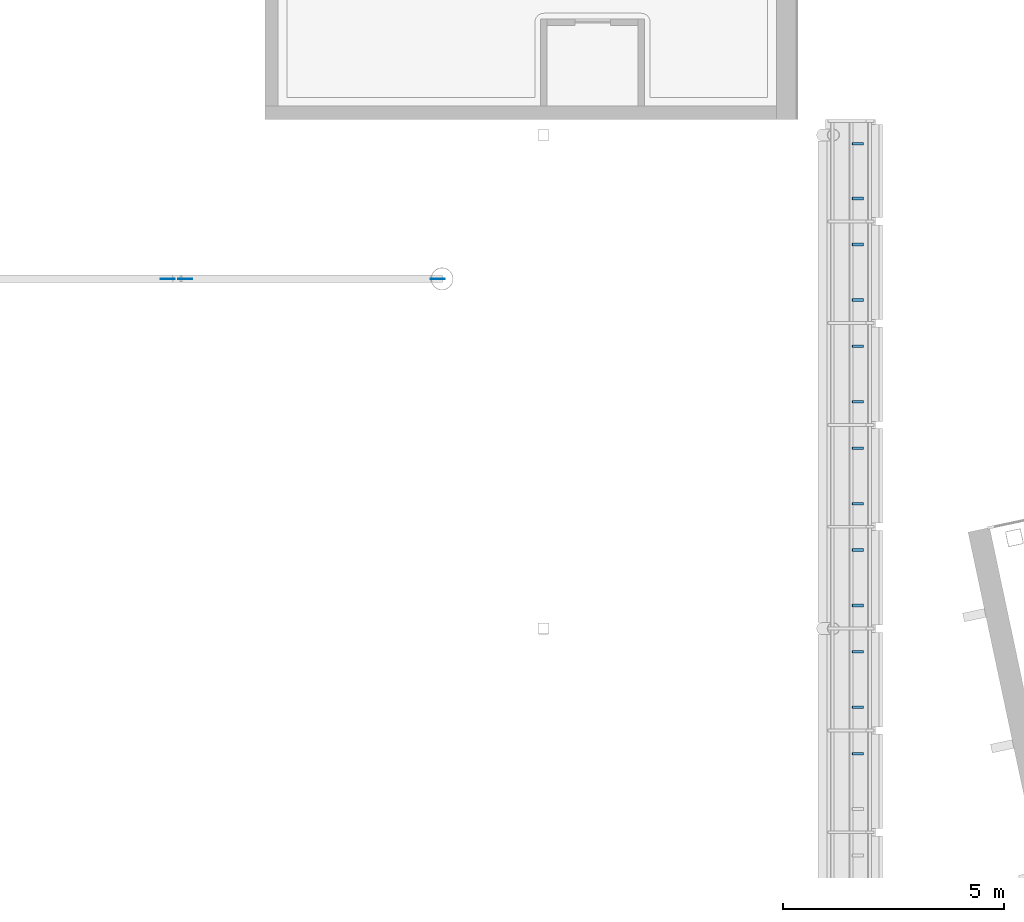
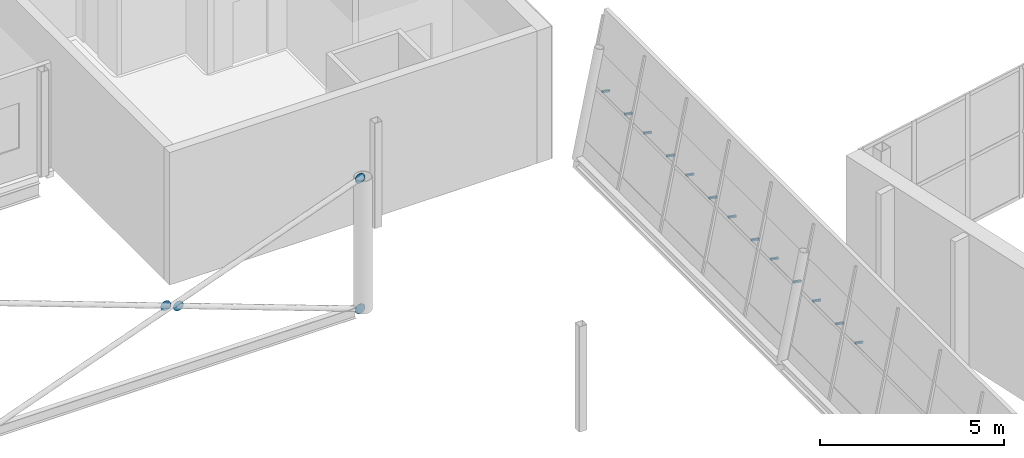
# One storey, part 77 of 95: 17 discrete accessories.
"""IFC4 building model written with IfcOpenShell, lengths in metres."""

from ifc_helpers import new_model, si_unit, direction, frame, origin, origin_2d, place, context, subcontext, project, spatial, rectangle, circle, extrude, material, layer, layer_set, type_object, element, save


model = new_model("IFC4")

# Units and contexts
model_context = context("Model", 3, precision=1e-05, world=origin(), true_north=direction((0.0, 1.0)))
body_context = subcontext(model_context, "Body", "Model", "MODEL_VIEW")
ifc_project = project(units=[si_unit("LENGTHUNIT", "METRE"), si_unit("AREAUNIT", "SQUARE_METRE"), si_unit("VOLUMEUNIT", "CUBIC_METRE"), si_unit("PLANEANGLEUNIT", "RADIAN"), si_unit("MASSUNIT", "GRAM", prefix="KILO")], contexts=[model_context])

# Site, building, storey
site_placement = place(None, origin())
site = spatial("IfcSite", under=ifc_project, at=site_placement, CompositionType="ELEMENT")
building_placement = place(site_placement, origin())
building = spatial("IfcBuilding", under=site, at=building_placement, Name="Windward Yard Aquatics Centre", CompositionType="ELEMENT")
storey_placement = place(building_placement, frame((0.0, 0.0, 9.39990234375)))
storey = spatial("IfcBuildingStorey", under=building, at=storey_placement, Name="L02", CompositionType="ELEMENT", Elevation=9.39990234375)

# Discrete accessories
ifc_material = material(Name="Steel S355", Category="steel")
ifc_layer = layer(ifc_material, 0.011962890625)
ifc_layer_set = layer_set([ifc_layer], Name="Gusset plate 320 mm disc 12 mm")
discrete_accessory_type = type_object("IfcDiscreteAccessoryType", Name="Gusset plate 320 mm disc 12 mm", PredefinedType="USERDEFINED", material=ifc_layer_set)
for number, where, z_axis, x_axis, name in (
    (1, (143.906005859375, 80.39404296875, 4.36572265625), (0.0, 1.0, 0.0), (-1.0, 0.0, 0.0), "Gusset plate"),
    (2, (137.802734375, 80.39404296875, 2.2724609375), (0.0, 1.0, 0.0), (-1.0, 0.0, 0.0), "Gusset plate"),
    (3, (138.197265625, 80.39404296875, 2.127685546875), (0.0, 1.0, 0.0), (-1.0, 0.0, 0.0), "Gusset plate"),
    (4, (143.906005859375, 80.39404296875, 0.034423828125), (0.0, 1.0, 0.0), (-1.0, 0.0, 0.0), "Gusset plate"),
):
    element("IfcDiscreteAccessory", number, at=place(storey_placement, frame(where, z_axis=z_axis, x_axis=x_axis)), inside=storey, type_object=discrete_accessory_type, Name=name, ObjectType="GUSSET PLATE", PredefinedType="USERDEFINED", context=body_context, shape_type="SweptSolid", body=[
        extrude(circle(Radius=0.159912109375, at=origin_2d()), origin(), (0.0, 0.0, 1.0), 0.011962890625),
    ])
for number, where, z_axis, x_axis, name in (
    (5, (153.267578125, 69.67578125, 2.11865234375), (0.979936662274, 0.0, -0.199309151649), (0.0, 1.0, 0.0), "Louvre bracket E L02 A14.2"),
    (6, (153.267578125, 70.72412109375, 2.11865234375), (0.979936662274, 0.0, -0.199309151649), (0.0, 1.0, 0.0), "Louvre bracket E L02 A15.1"),
    (7, (153.267578125, 71.975830078125, 2.11865234375), (0.979936662274, 0.0, -0.199309151649), (0.0, 1.0, 0.0), "Louvre bracket E L02 A15.2"),
    (8, (153.267578125, 73.024169921875, 2.11865234375), (0.979936662274, 0.0, -0.199309151649), (0.0, 1.0, 0.0), "Louvre bracket E L02 A16.1"),
    (9, (153.267578125, 74.27587890625, 2.11865234375), (0.979936662274, 0.0, -0.199309151649), (0.0, 1.0, 0.0), "Louvre bracket E L02 A16.2"),
    (10, (153.267578125, 75.32421875, 2.11865234375), (0.979936662274, 0.0, -0.199309151649), (0.0, 1.0, 0.0), "Louvre bracket E L02 A17.1"),
    (11, (153.267578125, 76.57568359375, 2.11865234375), (0.979936662274, 0.0, -0.199309151649), (0.0, 1.0, 0.0), "Louvre bracket E L02 A17.2"),
    (12, (153.267578125, 77.624267578125, 2.11865234375), (0.979936662274, 0.0, -0.199309151649), (0.0, 1.0, 0.0), "Louvre bracket E L02 A18.1"),
    (13, (153.267578125, 78.875732421875, 2.11865234375), (0.979936662274, 0.0, -0.199309151649), (0.0, 1.0, 0.0), "Louvre bracket E L02 A18.2"),
    (14, (153.267578125, 79.92431640625, 2.11865234375), (0.979936662274, 0.0, -0.199309151649), (0.0, 1.0, 0.0), "Louvre bracket E L02 A19.1"),
    (15, (153.267578125, 81.17578125, 2.11865234375), (0.979936662274, 0.0, -0.199309151649), (0.0, 1.0, 0.0), "Louvre bracket E L02 A19.2"),
    (16, (153.267578125, 82.217041015625, 2.11865234375), (0.979936662274, 0.0, -0.199309151649), (0.0, 1.0, 0.0), "Louvre bracket E L02 A20.1"),
    (17, (153.267578125, 83.450439453125, 2.11865234375), (0.979936662274, 0.0, -0.199309151649), (0.0, 1.0, 0.0), "Louvre bracket E L02 A20.2"),
):
    element("IfcDiscreteAccessory", number, at=place(storey_placement, frame(where, z_axis=z_axis, x_axis=x_axis)), inside=storey, Name=name, PredefinedType="BRACKET", context=body_context, shape_type="SweptSolid", body=[
        extrude(rectangle(XDim=0.06005859375, YDim=0.06005859375, at=origin_2d()), origin(), (0.0, 0.0, 1.0), 0.25),
    ])

save(model, "model.ifc")
